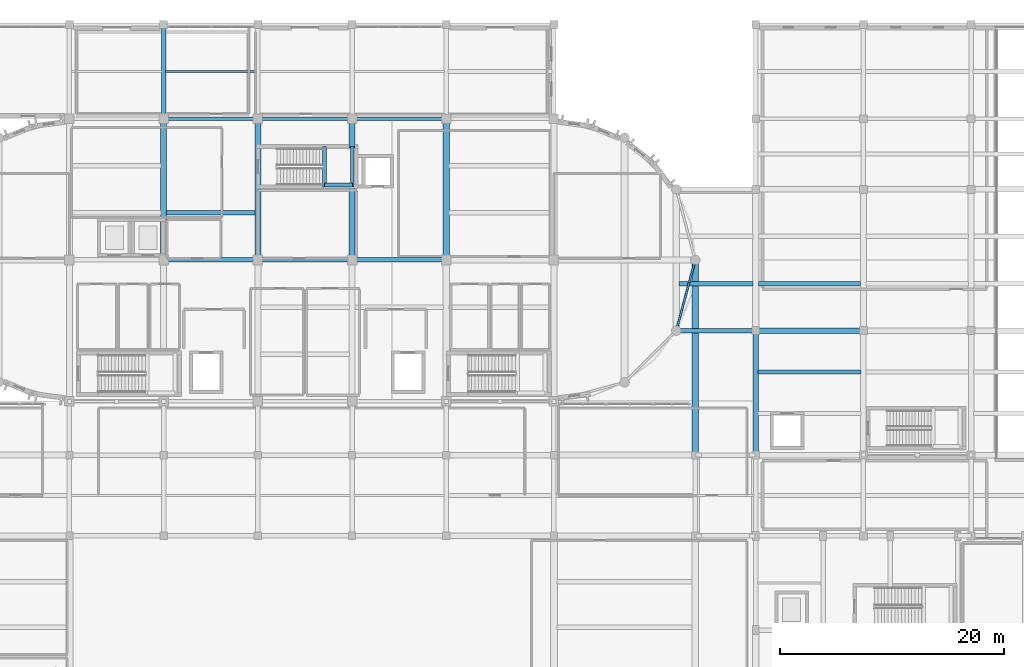
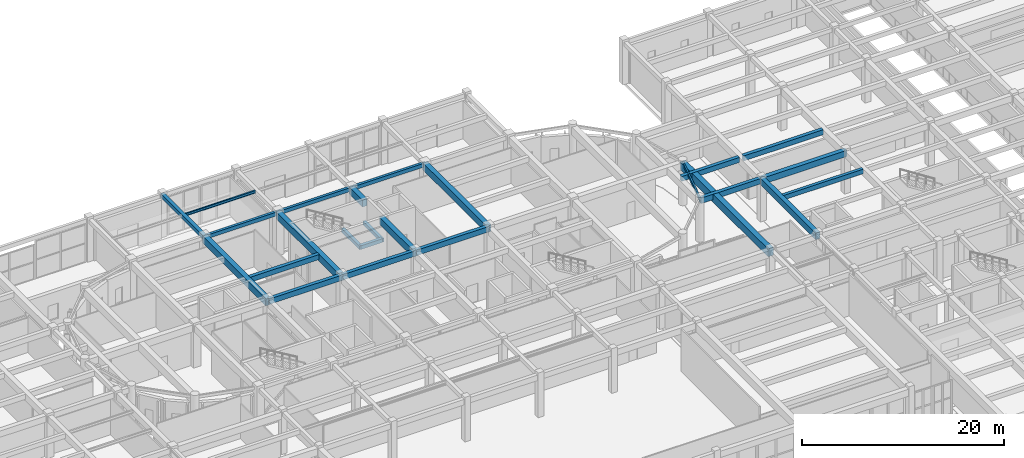
# One storey, part 41 of 98: 25 beams.
"""IFC4 building model written with IfcOpenShell, lengths in metres."""

from ifc_helpers import new_model, si_unit, direction, frame, origin, origin_2d, place, context, subcontext, project, spatial, rectangle, hollow_rectangle, i_section, extrude, material, material_profile, profile_set, type_object, element, save


model = new_model("IFC4")

# Units and contexts
model_context = context("Model", 3, precision=1e-05, world=origin(), true_north=direction((0.0, 1.0)))
body_context = subcontext(model_context, "Body", "Model", "MODEL_VIEW")
ifc_project = project(units=[si_unit("LENGTHUNIT", "METRE"), si_unit("AREAUNIT", "SQUARE_METRE"), si_unit("VOLUMEUNIT", "CUBIC_METRE"), si_unit("PLANEANGLEUNIT", "RADIAN"), si_unit("MASSUNIT", "GRAM", prefix="KILO")], contexts=[model_context])

# Site, building, storey
site_placement = place(None, origin())
site = spatial("IfcSite", under=ifc_project, at=site_placement, CompositionType="ELEMENT")
building_placement = place(site_placement, origin())
building = spatial("IfcBuilding", under=site, at=building_placement, Name="Tarnavel Promenade Courthouse", CompositionType="ELEMENT")
storey_placement = place(building_placement, origin())
storey = spatial("IfcBuildingStorey", under=building, at=storey_placement, Name="L01", CompositionType="ELEMENT", Elevation=0.0)

# Beams
ifc_material_1 = material(Name="Concrete C40/50", Category="concrete")
ifc_material_profile_1 = material_profile(ifc_material_1, rectangle(XDim=0.35009765625, YDim=0.550048828125, at=origin_2d()), Name="PT 350x550")
ifc_profile_set_1 = profile_set([ifc_material_profile_1], Name="Concrete C40/50")
beam_type_1 = type_object("IfcBeamType", Name="Concrete C40/50 BM-PT-350x550 (PT 350x550)", PredefinedType="JOIST", material=ifc_profile_set_1)
beam_1_placement = place(storey_placement, frame((120.219970703125, 81.800048828125, 4.860107421875), z_axis=(1.0, 0.0, 0.0), x_axis=(0.0, 1.0, 0.0)))
element("IfcBeam", 1, at=beam_1_placement, inside=storey, type_object=beam_type_1, Name="L01 Secondary Floor Rib 0955", PredefinedType="JOIST", context=body_context, shape_type="SweptSolid", body=[
    extrude(rectangle(XDim=0.35009765625, YDim=0.550048828125, at=origin_2d()), origin(), (0.0, 0.0, 1.0), 9.159912109375),
])
ifc_material_profile_2 = material_profile(ifc_material_1, rectangle(XDim=0.39990234375, YDim=0.60009765625, at=origin_2d()), Name="PT 400x600")
ifc_profile_set_2 = profile_set([ifc_material_profile_2], Name="Concrete C40/50")
beam_type_2 = type_object("IfcBeamType", Name="Concrete C40/50 BM-PT-400x600 (PT 400x600)", PredefinedType="JOIST", material=ifc_profile_set_2)
beam_2_placement = place(storey_placement, frame((113.156982421875, 89.699951171875, 4.8349609375), z_axis=(1.0, 0.0, 0.0), x_axis=(0.0, 1.0, 0.0)))
element("IfcBeam", 2, at=beam_2_placement, inside=storey, type_object=beam_type_2, Name="L01 Secondary Floor Rib 0971", PredefinedType="JOIST", context=body_context, shape_type="SweptSolid", body=[
    extrude(rectangle(XDim=0.39990234375, YDim=0.60009765625, at=origin_2d()), origin(), (0.0, 0.0, 1.0), 6.597900390625),
])
beam_3_placement = place(storey_placement, frame((120.2451171875, 89.699951171875, 4.8349609375), z_axis=(1.0, 0.0, 0.0), x_axis=(0.0, 1.0, 0.0)))
element("IfcBeam", 3, at=beam_3_placement, inside=storey, type_object=beam_type_2, Name="L01 Secondary Floor Rib 0973", PredefinedType="JOIST", context=body_context, shape_type="SweptSolid", body=[
    extrude(rectangle(XDim=0.39990234375, YDim=0.60009765625, at=origin_2d()), origin(), (0.0, 0.0, 1.0), 9.10986328125),
])
beam_4_placement = place(storey_placement, frame((67.445068359375, 96.0, 4.8349609375), z_axis=(1.0, 0.0, 0.0), x_axis=(0.0, 1.0, 0.0)))
element("IfcBeam", 4, at=beam_4_placement, inside=storey, type_object=beam_type_2, Name="L01 Secondary Floor Rib 1006", PredefinedType="JOIST", context=body_context, shape_type="SweptSolid", body=[
    extrude(rectangle(XDim=0.39990234375, YDim=0.60009765625, at=origin_2d()), origin(), (0.0, 0.0, 1.0), 7.909912109375),
])
ifc_material_profile_3 = material_profile(ifc_material_1, rectangle(XDim=0.5, YDim=0.800048828125, at=origin_2d()), Name="PT 500x800")
ifc_profile_set_3 = profile_set([ifc_material_profile_3], Name="Concrete C40/50")
beam_type_3 = type_object("IfcBeamType", Name="Concrete C40/50 BM-PT-500x800 (PT 500x800)", PredefinedType="T_BEAM", material=ifc_profile_set_3)
beam_5_placement = place(storey_placement, frame((120.0, 74.39990234375, 4.735107421875), z_axis=(0.0, 1.0, 0.0), x_axis=(-1.0, 0.0, 0.0)))
element("IfcBeam", 5, at=beam_5_placement, inside=storey, type_object=beam_type_3, Name="L01 Transverse Girder 0837", PredefinedType="T_BEAM", context=body_context, shape_type="SweptSolid", body=[
    extrude(rectangle(XDim=0.5, YDim=0.800048828125, at=origin_2d()), origin(), (0.0, 0.0, 1.0), 11.10009765625),
])
ifc_material_profile_4 = material_profile(ifc_material_1, rectangle(XDim=0.550048828125, YDim=0.85009765625, at=origin_2d()), Name="PT 550x850")
ifc_profile_set_4 = profile_set([ifc_material_profile_4], Name="Concrete C40/50")
beam_type_4 = type_object("IfcBeamType", Name="Concrete C40/50 BM-PT-550x850 (PT 550x850)", PredefinedType="T_BEAM", material=ifc_profile_set_4)
for number, where, z_axis, x_axis, name in (
    (6, (67.199951171875, 91.800048828125, 4.7099609375), (0.0, 1.0, 0.0), (-1.0, 0.0, 0.0), "L01 Transverse Girder 0799"),
    (7, (75.60009765625, 91.800048828125, 4.7099609375), (0.0, 1.0, 0.0), (-1.0, 0.0, 0.0), "L01 Transverse Girder 0805"),
):
    element("IfcBeam", number, at=place(storey_placement, frame(where, z_axis=z_axis, x_axis=x_axis)), inside=storey, type_object=beam_type_4, Name=name, PredefinedType="T_BEAM", context=body_context, shape_type="SweptSolid", body=[
        extrude(rectangle(XDim=0.550048828125, YDim=0.85009765625, at=origin_2d()), origin(), (0.0, 0.0, 1.0), 12.599853515625),
    ])
beam_6_placement = place(storey_placement, frame((84.0, 91.800048828125, 4.7099609375), z_axis=(0.0, 1.0, 0.0), x_axis=(-1.0, 0.0, 0.0)))
element("IfcBeam", 8, at=beam_6_placement, inside=storey, type_object=beam_type_4, Name="L01 Transverse Girder 0811", PredefinedType="T_BEAM", context=body_context, shape_type="SweptSolid", body=[
    extrude(rectangle(XDim=0.550048828125, YDim=0.85009765625, at=origin_2d()), origin(), (0.0, 0.0, 1.0), 6.64990234375),
])
beam_7_placement = place(storey_placement, frame((84.0, 101.7900390625, 4.7099609375), z_axis=(0.0, 1.0, 0.0), x_axis=(-1.0, 0.0, 0.0)))
element("IfcBeam", 9, at=beam_7_placement, inside=storey, type_object=beam_type_4, Name="L01 Transverse Girder 0812", PredefinedType="T_BEAM", context=body_context, shape_type="SweptSolid", body=[
    extrude(rectangle(XDim=0.550048828125, YDim=0.85009765625, at=origin_2d()), origin(), (0.0, 0.0, 1.0), 2.60986328125),
])
beam_8_placement = place(storey_placement, frame((92.39990234375, 91.800048828125, 4.7099609375), z_axis=(0.0, 1.0, 0.0), x_axis=(-1.0, 0.0, 0.0)))
element("IfcBeam", 10, at=beam_8_placement, inside=storey, type_object=beam_type_4, Name="L01 Transverse Girder 0818", PredefinedType="T_BEAM", context=body_context, shape_type="SweptSolid", body=[
    extrude(rectangle(XDim=0.550048828125, YDim=0.85009765625, at=origin_2d()), origin(), (0.0, 0.0, 1.0), 12.599853515625),
])
ifc_material_profile_5 = material_profile(ifc_material_1, rectangle(XDim=0.60009765625, YDim=0.949951171875, at=origin_2d()), Name="PT 600x950")
ifc_profile_set_5 = profile_set([ifc_material_profile_5], Name="Concrete C40/50")
beam_type_5 = type_object("IfcBeamType", Name="Concrete C40/50 BM-PT-600x950 (PT 600x950)", PredefinedType="T_BEAM", material=ifc_profile_set_5)
beam_9_placement = place(storey_placement, frame((114.60009765625, 74.39990234375, 4.659912109375), z_axis=(0.0, 1.0, 0.0), x_axis=(-1.0, 0.0, 0.0)))
element("IfcBeam", 11, at=beam_9_placement, inside=storey, type_object=beam_type_5, Name="L01 Transverse Girder 0832", PredefinedType="T_BEAM", context=body_context, shape_type="SweptSolid", body=[
    extrude(rectangle(XDim=0.60009765625, YDim=0.949951171875, at=origin_2d()), origin(), (0.0, 0.0, 1.0), 17.400146484375),
])
ifc_material_profile_6 = material_profile(ifc_material_1, rectangle(XDim=0.35009765625, YDim=0.449951171875, at=origin_2d()), Name="RC 350x450")
ifc_profile_set_6 = profile_set([ifc_material_profile_6], Name="Concrete C40/50")
beam_type_6 = type_object("IfcBeamType", Name="Concrete C40/50 BM-RC-350x450 (RC 350x450)", PredefinedType="BEAM", material=ifc_profile_set_6)
for number, where, z_axis, x_axis, name in (
    (12, (81.56005859375, 98.320068359375, 2.27001953125), (0.0, 1.0, 0.0), (-1.0, 0.0, 0.0), "L01 ST-03 Mid-Landing Support Beam Near"),
    (13, (84.02001953125, 98.320068359375, 2.27001953125), (0.0, 1.0, 0.0), (-1.0, 0.0, 0.0), "L01 ST-03 Mid-Landing Support Beam Far"),
):
    element("IfcBeam", number, at=place(storey_placement, frame(where, z_axis=z_axis, x_axis=x_axis)), inside=storey, type_object=beam_type_6, Name=name, PredefinedType="BEAM", context=body_context, shape_type="SweptSolid", body=[
        extrude(rectangle(XDim=0.35009765625, YDim=0.449951171875, at=origin_2d()), origin(), (0.0, 0.0, 1.0), 3.599853515625),
    ])
beam_10_placement = place(storey_placement, frame((81.56005859375, 98.469970703125, 2.27001953125), z_axis=(1.0, 0.0, 0.0), x_axis=(0.0, 1.0, 0.0)))
element("IfcBeam", 14, at=beam_10_placement, inside=storey, type_object=beam_type_6, Name="L01 ST-03 Mid-Landing Edge Trimmer", PredefinedType="BEAM", context=body_context, shape_type="SweptSolid", body=[
    extrude(rectangle(XDim=0.35009765625, YDim=0.449951171875, at=origin_2d()), origin(), (0.0, 0.0, 1.0), 2.4599609375),
])
ifc_material_profile_7 = material_profile(ifc_material_1, rectangle(XDim=0.39990234375, YDim=0.5, at=origin_2d()), Name="RC 400x500")
ifc_profile_set_7 = profile_set([ifc_material_profile_7], Name="Concrete C40/50")
beam_type_7 = type_object("IfcBeamType", Name="Concrete C40/50 BM-RC-400x500 (RC 400x500)", PredefinedType="BEAM", material=ifc_profile_set_7)
beam_11_placement = place(storey_placement, frame((67.199951171875, 104.39990234375, 4.885009765625), z_axis=(0.0, 1.0, 0.0), x_axis=(-1.0, 0.0, 0.0)))
element("IfcBeam", 15, at=beam_11_placement, inside=storey, type_object=beam_type_7, Name="L01 Transverse Girder 0800", PredefinedType="BEAM", context=body_context, shape_type="SweptSolid", body=[
    extrude(rectangle(XDim=0.39990234375, YDim=0.5, at=origin_2d()), origin(), (0.0, 0.0, 1.0), 8.400146484375),
])
ifc_material_profile_8 = material_profile(ifc_material_1, rectangle(XDim=0.39990234375, YDim=0.64990234375, at=origin_2d()), Name="RC 400x650")
ifc_profile_set_8 = profile_set([ifc_material_profile_8], Name="Concrete C40/50")
beam_type_8 = type_object("IfcBeamType", Name="Concrete C40/50 BM-RC-400x650 (RC 400x650)", PredefinedType="BEAM", material=ifc_profile_set_8)
beam_12_placement = place(storey_placement, frame((112.911865234375, 85.5, 4.81005859375), z_axis=(1.0, 0.0, 0.0), x_axis=(0.0, 1.0, 0.0)))
element("IfcBeam", 16, at=beam_12_placement, inside=storey, type_object=beam_type_8, Name="L01 Primary Longitudinal Beam 0688", PredefinedType="BEAM", context=body_context, shape_type="SweptSolid", body=[
    extrude(rectangle(XDim=0.39990234375, YDim=0.64990234375, at=origin_2d()), origin(), (0.0, 0.0, 1.0), 7.088134765625),
])
beam_13_placement = place(storey_placement, frame((67.199951171875, 91.800048828125, 4.81005859375), z_axis=(1.0, 0.0, 0.0), x_axis=(0.0, 1.0, 0.0)))
element("IfcBeam", 17, at=beam_13_placement, inside=storey, type_object=beam_type_8, Name="L01 Primary Longitudinal Beam 0695", PredefinedType="BEAM", context=body_context, shape_type="SweptSolid", body=[
    extrude(rectangle(XDim=0.39990234375, YDim=0.64990234375, at=origin_2d()), origin(), (0.0, 0.0, 1.0), 8.400146484375),
])
for number, where, z_axis, x_axis, name in (
    (18, (75.60009765625, 91.800048828125, 4.81005859375), (1.0, 0.0, 0.0), (0.0, 1.0, 0.0), "L01 Primary Longitudinal Beam 0696"),
    (19, (84.0, 91.800048828125, 4.81005859375), (1.0, 0.0, 0.0), (0.0, 1.0, 0.0), "L01 Primary Longitudinal Beam 0697"),
):
    element("IfcBeam", number, at=place(storey_placement, frame(where, z_axis=z_axis, x_axis=x_axis)), inside=storey, type_object=beam_type_8, Name=name, PredefinedType="BEAM", context=body_context, shape_type="SweptSolid", body=[
        extrude(rectangle(XDim=0.39990234375, YDim=0.64990234375, at=origin_2d()), origin(), (0.0, 0.0, 1.0), 8.39990234375),
    ])
ifc_material_profile_9 = material_profile(ifc_material_1, rectangle(XDim=0.5, YDim=0.75, at=origin_2d()), Name="RC 500x750")
ifc_profile_set_9 = profile_set([ifc_material_profile_9], Name="Concrete C40/50")
beam_type_9 = type_object("IfcBeamType", Name="Concrete C40/50 BM-RC-500x750 (RC 500x750)", PredefinedType="T_BEAM", material=ifc_profile_set_9)
beam_14_placement = place(storey_placement, frame((120.0, 85.5, 4.760009765625), z_axis=(1.0, 0.0, 0.0), x_axis=(0.0, 1.0, 0.0)))
element("IfcBeam", 20, at=beam_14_placement, inside=storey, type_object=beam_type_9, Name="L01 Primary Longitudinal Beam 0689", PredefinedType="T_BEAM", context=body_context, shape_type="SweptSolid", body=[
    extrude(rectangle(XDim=0.5, YDim=0.75, at=origin_2d()), origin(), (0.0, 0.0, 1.0), 9.60009765625),
])
ifc_material_profile_10 = material_profile(ifc_material_1, rectangle(XDim=0.300048828125, YDim=0.449951171875, at=origin_2d()), Name="RC 300x450")
ifc_profile_set_10 = profile_set([ifc_material_profile_10], Name="Concrete C40/50")
beam_type_10 = type_object("IfcBeamType", Name="Concrete C40/50 BM-SP-300x450 (RC 300x450)", PredefinedType="SPANDREL", material=ifc_profile_set_10)
beam_15_placement = place(storey_placement, frame((67.199951171875, 104.39990234375, 4.909912109375), z_axis=(1.0, 0.0, 0.0), x_axis=(0.0, 1.0, 0.0)))
element("IfcBeam", 21, at=beam_15_placement, inside=storey, type_object=beam_type_10, Name="L01 Primary Longitudinal Beam 0712", PredefinedType="SPANDREL", context=body_context, shape_type="SweptSolid", body=[
    extrude(rectangle(XDim=0.300048828125, YDim=0.449951171875, at=origin_2d()), origin(), (0.0, 0.0, 1.0), 8.400146484375),
])
for number, where, z_axis, x_axis, name in (
    (22, (75.60009765625, 104.39990234375, 4.909912109375), (1.0, 0.0, 0.0), (0.0, 1.0, 0.0), "L01 Primary Longitudinal Beam 0713"),
    (23, (84.0, 104.39990234375, 4.909912109375), (1.0, 0.0, 0.0), (0.0, 1.0, 0.0), "L01 Primary Longitudinal Beam 0714"),
):
    element("IfcBeam", number, at=place(storey_placement, frame(where, z_axis=z_axis, x_axis=x_axis)), inside=storey, type_object=beam_type_10, Name=name, PredefinedType="SPANDREL", context=body_context, shape_type="SweptSolid", body=[
        extrude(rectangle(XDim=0.300048828125, YDim=0.449951171875, at=origin_2d()), origin(), (0.0, 0.0, 1.0), 8.39990234375),
    ])
ifc_material_2 = material(Name="Steel S355J2", Category="steel")
ifc_material_profile_11 = material_profile(ifc_material_2, i_section(OverallWidth=0.159912109375, OverallDepth=0.330078125, WebThickness=0.007568359375, FlangeThickness=0.011474609375, FilletRadius=0.01806640625, at=origin_2d()), Name="IPE 330")
ifc_profile_set_11 = profile_set([ifc_material_profile_11], Name="Steel S355J2")
beam_type_11 = type_object("IfcBeamType", Name="Steel S355J2 BM-ST-IPE330 (IPE 330)", PredefinedType="JOIST", material=ifc_profile_set_11)
beam_16_placement = place(storey_placement, frame((67.3701171875, 108.60009765625, 4.969970703125), z_axis=(1.0, 0.0, 0.0), x_axis=(0.0, 1.0, 0.0)))
element("IfcBeam", 24, at=beam_16_placement, inside=storey, type_object=beam_type_11, Name="L01 Secondary Floor Rib 1010", PredefinedType="JOIST", context=body_context, shape_type="SweptSolid", body=[
    extrude(i_section(OverallWidth=0.159912109375, OverallDepth=0.330078125, WebThickness=0.007568359375, FlangeThickness=0.011474609375, FilletRadius=0.01806640625, at=origin_2d()), origin(), (0.0, 0.0, 1.0), 8.059814453125),
])
ifc_material_profile_12 = material_profile(ifc_material_2, hollow_rectangle(XDim=0.199951171875, YDim=0.35009765625, WallThickness=0.012451171875, InnerFilletRadius=0.012451171875, OuterFilletRadius=0.02490234375, at=origin_2d()), Name="RHS 350x200x12.5")
ifc_profile_set_12 = profile_set([ifc_material_profile_12], Name="Steel S355J2")
beam_type_12 = type_object("IfcBeamType", Name="Steel S355J2 BM-ST-RHS350 (RHS 350x200x12.5)", PredefinedType="SPANDREL", material=ifc_profile_set_12)
beam_17_placement = place(storey_placement, frame((112.911865234375, 85.5, 4.9599609375), z_axis=(0.258838989821, 0.965920481897, 0.0), x_axis=(-0.965920481897, 0.258838989821, 0.0)))
element("IfcBeam", 25, at=beam_17_placement, inside=storey, type_object=beam_type_12, Name="L01 Drum Ring Spandrel 1062", PredefinedType="SPANDREL", context=body_context, shape_type="SweptSolid", body=[
    extrude(hollow_rectangle(XDim=0.199951171875, YDim=0.35009765625, WallThickness=0.012451171875, InnerFilletRadius=0.012451171875, OuterFilletRadius=0.02490234375, at=origin_2d()), origin(), (0.0, 0.0, 1.0), 6.522216796875),
])

save(model, "model.ifc")
